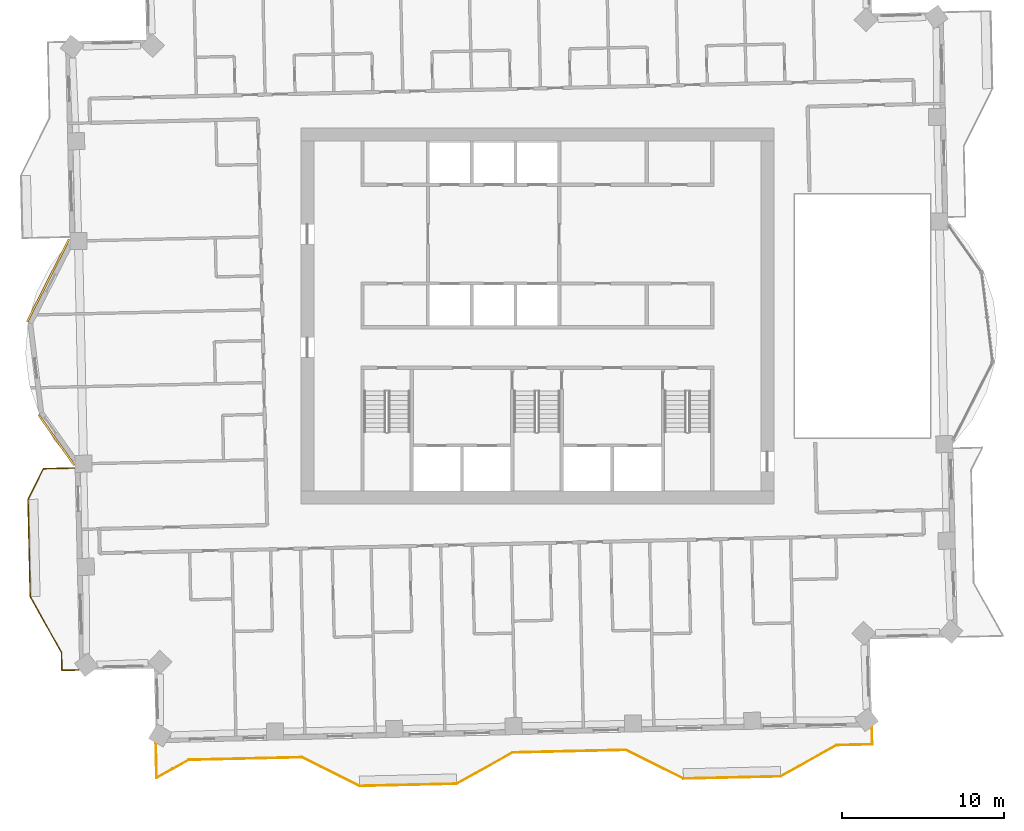
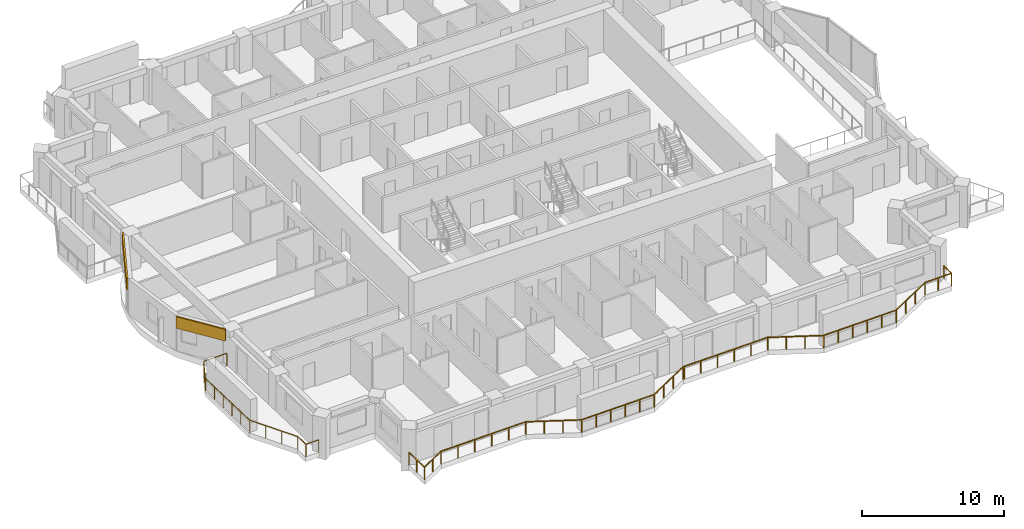
# One storey, part 14 of 17: 2 coverings, 2 railings.
"""IFC4 building model written with IfcOpenShell, lengths in metres."""

from ifc_helpers import new_model, si_unit, direction, frame, frame_2d, origin, origin_2d, place, context, subcontext, project, spatial, rectangle, extrude, material, layer, layer_set, type_object, element, save


model = new_model("IFC4")

# Units and contexts
model_context = context("Model", 3, precision=1e-05, world=origin(), true_north=direction((0.0, 1.0)))
body_context = subcontext(model_context, "Body", "Model", "MODEL_VIEW")
ifc_project = project(units=[si_unit("LENGTHUNIT", "METRE"), si_unit("AREAUNIT", "SQUARE_METRE"), si_unit("VOLUMEUNIT", "CUBIC_METRE"), si_unit("PLANEANGLEUNIT", "RADIAN"), si_unit("MASSUNIT", "GRAM", prefix="KILO")], contexts=[model_context])

# Site, building, storey
site_placement = place(None, origin())
site = spatial("IfcSite", under=ifc_project, at=site_placement, CompositionType="ELEMENT")
building_placement = place(site_placement, origin())
building = spatial("IfcBuilding", under=site, at=building_placement, Name="Mangrove Gate Tower", CompositionType="ELEMENT")
storey_placement = place(building_placement, frame((0.0, 0.0, 249.10009765625)))
storey = spatial("IfcBuildingStorey", under=building, at=storey_placement, Name="L63", CompositionType="ELEMENT", Elevation=249.10009765625)

# Railings
ifc_material_1 = material(Name="Stainless steel grade 316 with laminated glass infill", Category="steel")
railing_type = type_object("IfcRailingType", Name="Balcony guard 1100", PredefinedType="GUARDRAIL", material=ifc_material_1)
railing_1_placement = place(storey_placement, frame((-28.574951171875, -9.388916015625, 0.0)))
element("IfcRailing", 1, at=railing_1_placement, inside=storey, type_object=railing_type, Name="GUARD L63 W2", PredefinedType="GUARDRAIL", context=body_context, shape_type="SweptSolid", body=[
    extrude(rectangle(XDim=0.048095703125, YDim=0.048095703125, at=origin_2d()), frame((0.0, 0.0, 1.076171875), z_axis=(-0.999734961248, -0.023021886512, 0.0), x_axis=(0.023021886512, -0.999734961248, 0.0)), (0.0, 0.0, 1.0), 1.91943359375),
    extrude(rectangle(XDim=0.048095703125, YDim=0.048095703125, at=origin_2d()), frame((-1.9189453125, -0.044189453125, 1.076171875), z_axis=(-0.4472135955, -0.894427191, 0.0), x_axis=(0.894427191, -0.4472135955, 0.0)), (0.0, 0.0, 1.0), 2.119873046875),
    extrude(rectangle(XDim=0.048095703125, YDim=0.048095703125, at=origin_2d()), frame((-2.866943359375, -1.940185546875, 1.076171875), z_axis=(0.022663177671, -0.999743157205, 0.0), x_axis=(0.999743157205, 0.022663177671, 0.0)), (0.0, 0.0, 1.0), 6.000244140625),
    extrude(rectangle(XDim=0.048095703125, YDim=0.048095703125, at=origin_2d()), frame((-2.73095703125, -7.93896484375, 1.076171875), z_axis=(0.48726008209, -0.87325689943, 0.0), x_axis=(0.87325689943, 0.48726008209, 0.0)), (0.0, 0.0, 1.0), 3.958740234375),
    extrude(rectangle(XDim=0.048095703125, YDim=0.048095703125, at=origin_2d()), frame((-0.802001953125, -11.39599609375, 1.076171875), z_axis=(0.022630687329, -0.9997438932, 0.0), x_axis=(0.9997438932, 0.022630687329, 0.0)), (0.0, 0.0, 1.0), 1.100341796875),
    extrude(rectangle(XDim=0.048095703125, YDim=0.048095703125, at=origin_2d()), frame((-0.777099609375, -12.49609375, 1.076171875), z_axis=(0.999745389313, 0.022564497502, 0.0), x_axis=(-0.022564497502, 0.999745389313, 0.0)), (0.0, 0.0, 1.0), 1.060302734375),
    extrude(rectangle(XDim=0.0419921875, YDim=0.0419921875, at=origin_2d()), origin(), (0.0, 0.0, 1.0), 1.052001953125),
    extrude(rectangle(XDim=0.0419921875, YDim=0.0419921875, at=origin_2d()), frame((-0.95947265625, -0.02197265625, 0.0)), (0.0, 0.0, 1.0), 1.052001953125),
    extrude(rectangle(XDim=0.0419921875, YDim=0.0419921875, at=origin_2d()), frame((-1.9189453125, -0.044189453125, 0.0)), (0.0, 0.0, 1.0), 1.052001953125),
    extrude(rectangle(XDim=0.0419921875, YDim=0.0419921875, at=origin_2d()), frame((-2.39306640625, -0.9921875, 0.0)), (0.0, 0.0, 1.0), 1.052001953125),
    extrude(rectangle(XDim=0.0419921875, YDim=0.0419921875, at=origin_2d()), frame((-2.866943359375, -1.940185546875, 0.0)), (0.0, 0.0, 1.0), 1.052001953125),
    extrude(rectangle(XDim=0.0419921875, YDim=0.0419921875, at=origin_2d()), frame((-2.83984375, -3.139892578125, 0.0)), (0.0, 0.0, 1.0), 1.052001953125),
    extrude(rectangle(XDim=0.0419921875, YDim=0.0419921875, at=origin_2d()), frame((-2.8125, -4.339599609375, 0.0)), (0.0, 0.0, 1.0), 1.052001953125),
    extrude(rectangle(XDim=0.0419921875, YDim=0.0419921875, at=origin_2d()), frame((-2.785400390625, -5.53955078125, 0.0)), (0.0, 0.0, 1.0), 1.052001953125),
    extrude(rectangle(XDim=0.0419921875, YDim=0.0419921875, at=origin_2d()), frame((-2.758056640625, -6.7392578125, 0.0)), (0.0, 0.0, 1.0), 1.052001953125),
    extrude(rectangle(XDim=0.0419921875, YDim=0.0419921875, at=origin_2d()), frame((-2.73095703125, -7.93896484375, 0.0)), (0.0, 0.0, 1.0), 1.052001953125),
    extrude(rectangle(XDim=0.0419921875, YDim=0.0419921875, at=origin_2d()), frame((-2.087890625, -9.09130859375, 0.0)), (0.0, 0.0, 1.0), 1.052001953125),
    extrude(rectangle(XDim=0.0419921875, YDim=0.0419921875, at=origin_2d()), frame((-1.445068359375, -10.24365234375, 0.0)), (0.0, 0.0, 1.0), 1.052001953125),
    extrude(rectangle(XDim=0.0419921875, YDim=0.0419921875, at=origin_2d()), frame((-0.802001953125, -11.39599609375, 0.0)), (0.0, 0.0, 1.0), 1.052001953125),
    extrude(rectangle(XDim=0.0419921875, YDim=0.0419921875, at=origin_2d()), frame((-0.777099609375, -12.49609375, 0.0)), (0.0, 0.0, 1.0), 1.052001953125),
    extrude(rectangle(XDim=0.0419921875, YDim=0.0419921875, at=origin_2d()), frame((0.282958984375, -12.47216796875, 0.0)), (0.0, 0.0, 1.0), 1.052001953125),
])
railing_2_placement = place(storey_placement, frame((-23.548095703125, -26.39404296875, 0.0)))
element("IfcRailing", 2, at=railing_2_placement, inside=storey, type_object=railing_type, Name="GUARD L63 S1", PredefinedType="GUARDRAIL", context=body_context, shape_type="SweptSolid", body=[
    extrude(rectangle(XDim=0.048095703125, YDim=0.048095703125, at=origin_2d()), frame((0.0, 0.0, 1.076171875), z_axis=(0.022692622467, -0.999742489287, 0.0), x_axis=(0.999742489287, 0.022692622467, 0.0)), (0.0, 0.0, 1.0), 2.119384765625),
    extrude(rectangle(XDim=0.048095703125, YDim=0.048095703125, at=origin_2d()), frame((0.048095703125, -2.118896484375, 1.076171875), z_axis=(0.87330217406, 0.487178933025, 0.0), x_axis=(-0.487178933025, 0.87330217406, 0.0)), (0.0, 0.0, 1.0), 2.26611328125),
    extrude(rectangle(XDim=0.048095703125, YDim=0.048095703125, at=origin_2d()), frame((2.027099609375, -1.014892578125, 1.076171875), z_axis=(0.999742195543, 0.022705559911, 0.0), x_axis=(-0.022705559911, 0.999742195543, 0.0)), (0.0, 0.0, 1.0), 6.999755859375),
    extrude(rectangle(XDim=0.048095703125, YDim=0.048095703125, at=origin_2d()), frame((9.025146484375, -0.85595703125, 1.076171875), z_axis=(0.894476522376, -0.447114919141, 0.0), x_axis=(0.447114919141, 0.894476522376, 0.0)), (0.0, 0.0, 1.0), 3.958740234375),
    extrude(rectangle(XDim=0.048095703125, YDim=0.048095703125, at=origin_2d()), frame((12.566162109375, -2.6259765625, 1.076171875), z_axis=(0.999743178102, 0.022662255828, 0.0), x_axis=(-0.022662255828, 0.999743178102, 0.0)), (0.0, 0.0, 1.0), 6.00048828125),
    extrude(rectangle(XDim=0.048095703125, YDim=0.048095703125, at=origin_2d()), frame((18.565185546875, -2.489990234375, 1.076171875), z_axis=(0.87325689943, 0.48726008209, 0.0), x_axis=(-0.48726008209, 0.87325689943, 0.0)), (0.0, 0.0, 1.0), 3.958740234375),
    extrude(rectangle(XDim=0.048095703125, YDim=0.048095703125, at=origin_2d()), frame((22.022216796875, -0.56103515625, 1.076171875), z_axis=(0.999757980297, 0.021999564359, 0.0), x_axis=(-0.021999564359, 0.999757980297, 0.0)), (0.0, 0.0, 1.0), 0.099853515625),
    extrude(rectangle(XDim=0.048095703125, YDim=0.048095703125, at=origin_2d()), frame((22.1220703125, -0.558837890625, 1.076171875), z_axis=(0.999741140915, 0.022751948524, 0.0), x_axis=(-0.022751948524, 0.999741140915, 0.0)), (0.0, 0.0, 1.0), 6.899658203125),
    extrude(rectangle(XDim=0.048095703125, YDim=0.048095703125, at=origin_2d()), frame((29.02001953125, -0.40185546875, 1.076171875), z_axis=(0.894476522376, -0.447114919141, 0.0), x_axis=(0.447114919141, 0.894476522376, 0.0)), (0.0, 0.0, 1.0), 3.958740234375),
    extrude(rectangle(XDim=0.048095703125, YDim=0.048095703125, at=origin_2d()), frame((32.56103515625, -2.171875, 1.076171875), z_axis=(0.999743178102, 0.022662255828, 0.0), x_axis=(-0.022662255828, 0.999743178102, 0.0)), (0.0, 0.0, 1.0), 6.00048828125),
    extrude(rectangle(XDim=0.048095703125, YDim=0.048095703125, at=origin_2d()), frame((38.56005859375, -2.035888671875, 1.076171875), z_axis=(0.87325689943, 0.48726008209, 0.0), x_axis=(-0.48726008209, 0.87325689943, 0.0)), (0.0, 0.0, 1.0), 3.958740234375),
    extrude(rectangle(XDim=0.048095703125, YDim=0.048095703125, at=origin_2d()), frame((42.01708984375, -0.10693359375, 1.076171875), z_axis=(0.999742064275, 0.022711339004, 0.0), x_axis=(-0.022711339004, 0.999742064275, 0.0)), (0.0, 0.0, 1.0), 2.20361328125),
    extrude(rectangle(XDim=0.048095703125, YDim=0.048095703125, at=origin_2d()), frame((44.22021484375, -0.056884765625, 1.076171875), z_axis=(-0.022799876723, 0.999740049023, 0.0), x_axis=(-0.999740049023, -0.022799876723, 0.0)), (0.0, 0.0, 1.0), 1.06005859375),
    extrude(rectangle(XDim=0.0419921875, YDim=0.0419921875, at=origin_2d()), origin(), (0.0, 0.0, 1.0), 1.052001953125),
    extrude(rectangle(XDim=0.0419921875, YDim=0.0419921875, at=origin_2d()), frame((0.02392578125, -1.0595703125, 0.0)), (0.0, 0.0, 1.0), 1.052001953125),
    extrude(rectangle(XDim=0.0419921875, YDim=0.0419921875, at=origin_2d()), frame((0.048095703125, -2.118896484375, 0.0)), (0.0, 0.0, 1.0), 1.052001953125),
    extrude(rectangle(XDim=0.0419921875, YDim=0.0419921875, at=origin_2d()), frame((1.03759765625, -1.56689453125, 0.0)), (0.0, 0.0, 1.0), 1.052001953125),
    extrude(rectangle(XDim=0.0419921875, YDim=0.0419921875, at=origin_2d()), frame((2.027099609375, -1.014892578125, 0.0)), (0.0, 0.0, 1.0), 1.052001953125),
    extrude(rectangle(XDim=0.0419921875, YDim=0.0419921875, at=origin_2d()), frame((3.4267578125, -0.983154296875, 0.0)), (0.0, 0.0, 1.0), 1.052001953125),
    extrude(rectangle(XDim=0.0419921875, YDim=0.0419921875, at=origin_2d()), frame((4.826416015625, -0.951416015625, 0.0)), (0.0, 0.0, 1.0), 1.052001953125),
    extrude(rectangle(XDim=0.0419921875, YDim=0.0419921875, at=origin_2d()), frame((6.225830078125, -0.91943359375, 0.0)), (0.0, 0.0, 1.0), 1.052001953125),
    extrude(rectangle(XDim=0.0419921875, YDim=0.0419921875, at=origin_2d()), frame((7.62548828125, -0.8876953125, 0.0)), (0.0, 0.0, 1.0), 1.052001953125),
    extrude(rectangle(XDim=0.0419921875, YDim=0.0419921875, at=origin_2d()), frame((9.025146484375, -0.85595703125, 0.0)), (0.0, 0.0, 1.0), 1.052001953125),
    extrude(rectangle(XDim=0.0419921875, YDim=0.0419921875, at=origin_2d()), frame((10.20556640625, -1.446044921875, 0.0)), (0.0, 0.0, 1.0), 1.052001953125),
    extrude(rectangle(XDim=0.0419921875, YDim=0.0419921875, at=origin_2d()), frame((11.3857421875, -2.035888671875, 0.0)), (0.0, 0.0, 1.0), 1.052001953125),
    extrude(rectangle(XDim=0.0419921875, YDim=0.0419921875, at=origin_2d()), frame((12.566162109375, -2.6259765625, 0.0)), (0.0, 0.0, 1.0), 1.052001953125),
    extrude(rectangle(XDim=0.0419921875, YDim=0.0419921875, at=origin_2d()), frame((13.765869140625, -2.598876953125, 0.0)), (0.0, 0.0, 1.0), 1.052001953125),
    extrude(rectangle(XDim=0.0419921875, YDim=0.0419921875, at=origin_2d()), frame((14.9658203125, -2.571533203125, 0.0)), (0.0, 0.0, 1.0), 1.052001953125),
    extrude(rectangle(XDim=0.0419921875, YDim=0.0419921875, at=origin_2d()), frame((16.16552734375, -2.54443359375, 0.0)), (0.0, 0.0, 1.0), 1.052001953125),
    extrude(rectangle(XDim=0.0419921875, YDim=0.0419921875, at=origin_2d()), frame((17.365478515625, -2.51708984375, 0.0)), (0.0, 0.0, 1.0), 1.052001953125),
    extrude(rectangle(XDim=0.0419921875, YDim=0.0419921875, at=origin_2d()), frame((18.565185546875, -2.489990234375, 0.0)), (0.0, 0.0, 1.0), 1.052001953125),
    extrude(rectangle(XDim=0.0419921875, YDim=0.0419921875, at=origin_2d()), frame((19.717529296875, -1.846923828125, 0.0)), (0.0, 0.0, 1.0), 1.052001953125),
    extrude(rectangle(XDim=0.0419921875, YDim=0.0419921875, at=origin_2d()), frame((20.869873046875, -1.2041015625, 0.0)), (0.0, 0.0, 1.0), 1.052001953125),
    extrude(rectangle(XDim=0.0419921875, YDim=0.0419921875, at=origin_2d()), frame((22.022216796875, -0.56103515625, 0.0)), (0.0, 0.0, 1.0), 1.052001953125),
    extrude(rectangle(XDim=0.0419921875, YDim=0.0419921875, at=origin_2d()), frame((22.1220703125, -0.558837890625, 0.0)), (0.0, 0.0, 1.0), 1.052001953125),
    extrude(rectangle(XDim=0.0419921875, YDim=0.0419921875, at=origin_2d()), frame((23.501708984375, -0.52734375, 0.0)), (0.0, 0.0, 1.0), 1.052001953125),
    extrude(rectangle(XDim=0.0419921875, YDim=0.0419921875, at=origin_2d()), frame((24.88134765625, -0.49609375, 0.0)), (0.0, 0.0, 1.0), 1.052001953125),
    extrude(rectangle(XDim=0.0419921875, YDim=0.0419921875, at=origin_2d()), frame((26.2607421875, -0.464599609375, 0.0)), (0.0, 0.0, 1.0), 1.052001953125),
    extrude(rectangle(XDim=0.0419921875, YDim=0.0419921875, at=origin_2d()), frame((27.640380859375, -0.433349609375, 0.0)), (0.0, 0.0, 1.0), 1.052001953125),
    extrude(rectangle(XDim=0.0419921875, YDim=0.0419921875, at=origin_2d()), frame((29.02001953125, -0.40185546875, 0.0)), (0.0, 0.0, 1.0), 1.052001953125),
    extrude(rectangle(XDim=0.0419921875, YDim=0.0419921875, at=origin_2d()), frame((30.200439453125, -0.991943359375, 0.0)), (0.0, 0.0, 1.0), 1.052001953125),
    extrude(rectangle(XDim=0.0419921875, YDim=0.0419921875, at=origin_2d()), frame((31.380615234375, -1.581787109375, 0.0)), (0.0, 0.0, 1.0), 1.052001953125),
    extrude(rectangle(XDim=0.0419921875, YDim=0.0419921875, at=origin_2d()), frame((32.56103515625, -2.171875, 0.0)), (0.0, 0.0, 1.0), 1.052001953125),
    extrude(rectangle(XDim=0.0419921875, YDim=0.0419921875, at=origin_2d()), frame((33.7607421875, -2.144775390625, 0.0)), (0.0, 0.0, 1.0), 1.052001953125),
    extrude(rectangle(XDim=0.0419921875, YDim=0.0419921875, at=origin_2d()), frame((34.960693359375, -2.117431640625, 0.0)), (0.0, 0.0, 1.0), 1.052001953125),
    extrude(rectangle(XDim=0.0419921875, YDim=0.0419921875, at=origin_2d()), frame((36.160400390625, -2.09033203125, 0.0)), (0.0, 0.0, 1.0), 1.052001953125),
    extrude(rectangle(XDim=0.0419921875, YDim=0.0419921875, at=origin_2d()), frame((37.3603515625, -2.06298828125, 0.0)), (0.0, 0.0, 1.0), 1.052001953125),
    extrude(rectangle(XDim=0.0419921875, YDim=0.0419921875, at=origin_2d()), frame((38.56005859375, -2.035888671875, 0.0)), (0.0, 0.0, 1.0), 1.052001953125),
    extrude(rectangle(XDim=0.0419921875, YDim=0.0419921875, at=origin_2d()), frame((39.71240234375, -1.392822265625, 0.0)), (0.0, 0.0, 1.0), 1.052001953125),
    extrude(rectangle(XDim=0.0419921875, YDim=0.0419921875, at=origin_2d()), frame((40.86474609375, -0.75, 0.0)), (0.0, 0.0, 1.0), 1.052001953125),
    extrude(rectangle(XDim=0.0419921875, YDim=0.0419921875, at=origin_2d()), frame((42.01708984375, -0.10693359375, 0.0)), (0.0, 0.0, 1.0), 1.052001953125),
    extrude(rectangle(XDim=0.0419921875, YDim=0.0419921875, at=origin_2d()), frame((43.11865234375, -0.08203125, 0.0)), (0.0, 0.0, 1.0), 1.052001953125),
    extrude(rectangle(XDim=0.0419921875, YDim=0.0419921875, at=origin_2d()), frame((44.22021484375, -0.056884765625, 0.0)), (0.0, 0.0, 1.0), 1.052001953125),
    extrude(rectangle(XDim=0.0419921875, YDim=0.0419921875, at=origin_2d()), frame((44.196044921875, 1.0029296875, 0.0)), (0.0, 0.0, 1.0), 1.052001953125),
])

# Coverings
ifc_material_2 = material(Name="Limestone", Category="masonry")
ifc_layer_1 = layer(ifc_material_2, 0.0400390625, Name="Limestone cladding")
ifc_material_3 = material(Name="Stainless steel anchors and cavity", Category="steel")
ifc_layer_2 = layer(ifc_material_3, 0.080078125, Name="Fixing cavity")
ifc_layer_set = layer_set([ifc_layer_1, ifc_layer_2], Name="Joint fascia cladding 120")
covering_type = type_object("IfcCoveringType", Name="Joint fascia cladding 120", PredefinedType="CLADDING", material=ifc_layer_set)
covering_1_placement = place(storey_placement, frame((-28.906005859375, 4.732177734375, 2.0498046875), z_axis=(0.0, 0.0, 1.0), x_axis=(-0.452597611153, -0.891714866074, 0.0)))
element("IfcCovering", 3, at=covering_1_placement, inside=storey, type_object=covering_type, Name="STONE FASCIA L63 W9.L1", PredefinedType="CLADDING", context=body_context, shape_type="SweptSolid", body=[
    extrude(rectangle(XDim=5.704833984375, YDim=0.1201171875, at=frame_2d((2.8525390625, 0.0))), origin(), (0.0, 0.0, 1.0), 1.0),
])
covering_2_placement = place(storey_placement, frame((-30.791015625, -6.10302734375, 2.0498046875), z_axis=(0.0, 0.0, 1.0), x_axis=(0.578168098379, -0.815917673553, 0.0)))
element("IfcCovering", 4, at=covering_2_placement, inside=storey, type_object=covering_type, Name="STONE FASCIA L63 W9.L2", PredefinedType="CLADDING", context=body_context, shape_type="SweptSolid", body=[
    extrude(rectangle(XDim=3.819091796875, YDim=0.1201171875, at=frame_2d((1.90966796875, 0.0))), origin(), (0.0, 0.0, 1.0), 1.0),
])

save(model, "model.ifc")
